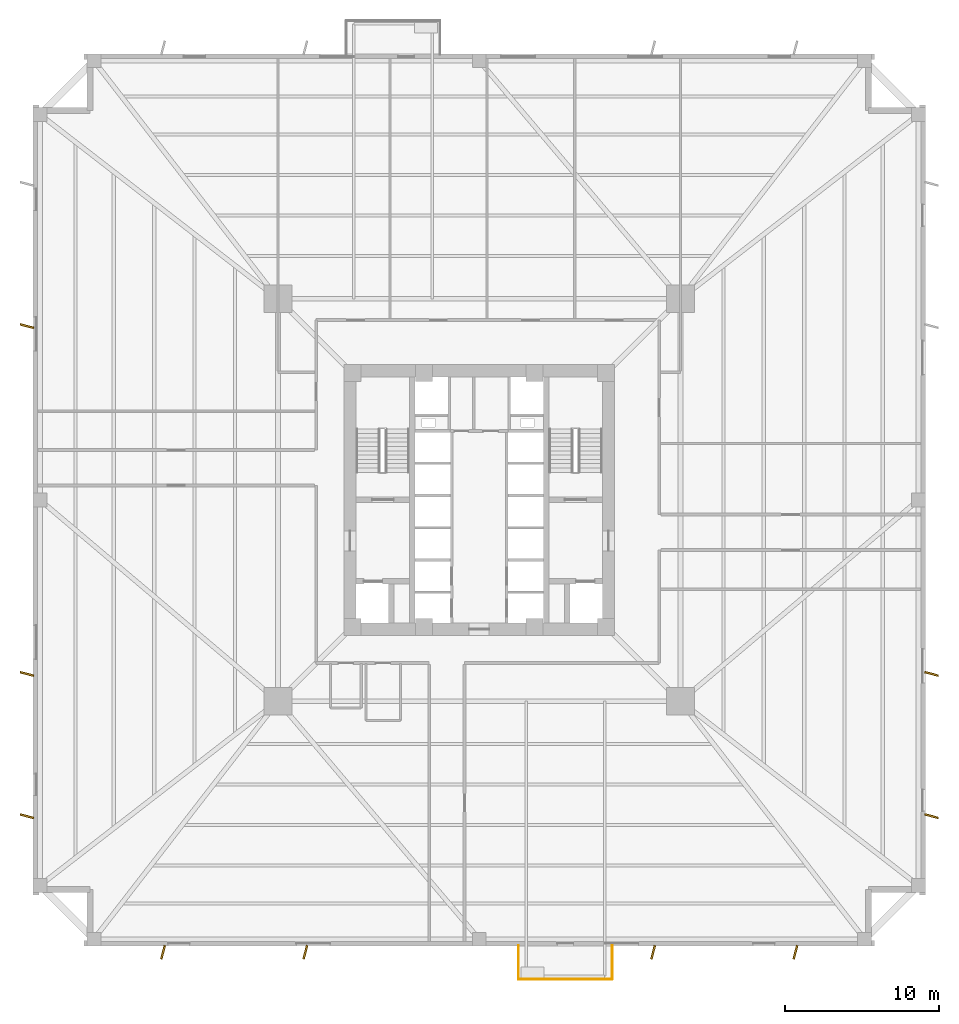
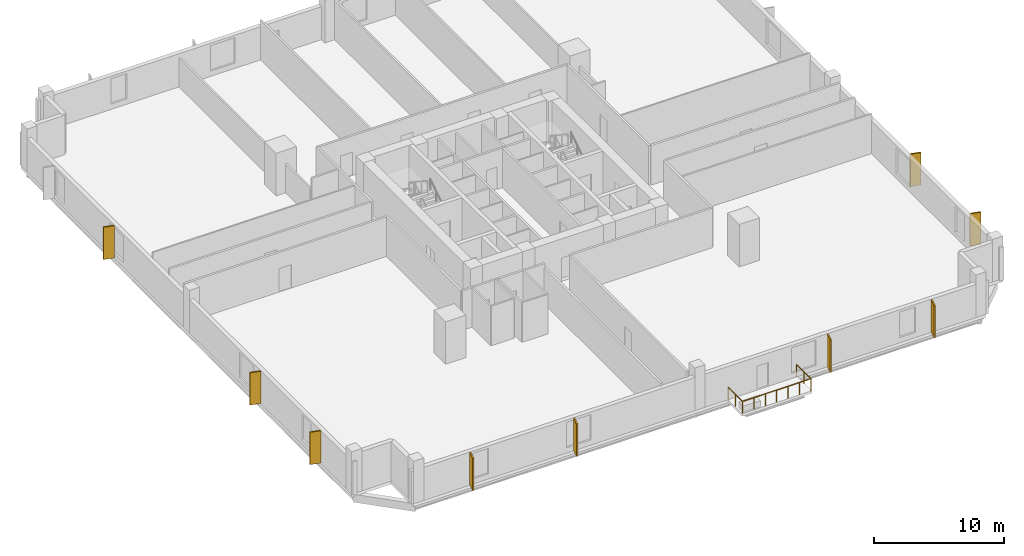
# One storey, part 6 of 8: 9 coverings, 3 railings.
"""IFC4 building model written with IfcOpenShell, lengths in metres."""

from ifc_helpers import new_model, si_unit, direction, frame, origin, origin_2d, place, context, subcontext, project, spatial, rectangle, circle, extrude, source, transform, mapped, material, layer, layer_set, type_object, element, save


model = new_model("IFC4")

# Units and contexts
model_context = context("Model", 3, precision=1e-05, world=origin(), true_north=direction((0.0, 1.0)))
body_context = subcontext(model_context, "Body", "Model", "MODEL_VIEW")
ifc_project = project(units=[si_unit("LENGTHUNIT", "METRE"), si_unit("AREAUNIT", "SQUARE_METRE"), si_unit("VOLUMEUNIT", "CUBIC_METRE"), si_unit("PLANEANGLEUNIT", "RADIAN"), si_unit("MASSUNIT", "GRAM", prefix="KILO"), si_unit("THERMODYNAMICTEMPERATUREUNIT", "KELVIN")], contexts=[model_context])

# Site, building, storey
site_placement = place(None, origin())
site = spatial("IfcSite", under=ifc_project, at=site_placement, CompositionType="ELEMENT")
building_placement = place(site_placement, origin())
building = spatial("IfcBuilding", under=site, at=building_placement, Name="Kosmvard Interchange Tower", CompositionType="ELEMENT")
storey_placement = place(building_placement, frame((0.0, 0.0, 38.0)))
storey = spatial("IfcBuildingStorey", under=building, at=storey_placement, Name="L08", CompositionType="ELEMENT", Elevation=38.0)

# Railings
ifc_material_1 = material(Name="Steel S355", Category="steel")
railing_type = type_object("IfcRailingType", Name="Observation & Balcony Glass-Infill Balustrade 1150", PredefinedType="BALUSTRADE", material=ifc_material_1)
shared_shape_1 = source(origin(), body_context, "Body", "SweptSolid", [
    extrude(circle(Radius=0.02392578125, at=origin_2d()), frame((0.0, 0.0, 1.1259765625), z_axis=(0.0, -1.0, 0.0), x_axis=(1.0, 0.0, 0.0)), (0.0, 0.0, 1.0), 2.199951171875),
    extrude(circle(Radius=0.02099609375, at=origin_2d()), origin(), (0.0, 0.0, 1.0), 1.101806640625),
    extrude(circle(Radius=0.02099609375, at=origin_2d()), frame((0.0, -1.10009765625, 0.0)), (0.0, 0.0, 1.0), 1.101806640625),
    extrude(circle(Radius=0.02099609375, at=origin_2d()), frame((0.0, -2.199951171875, 0.0)), (0.0, 0.0, 1.0), 1.101806640625),
])
railing_1_placement = place(storey_placement, frame((2.550048828125, -28.949951171875, 0.0)))
element("IfcRailing", 1, at=railing_1_placement, inside=storey, type_object=railing_type, Name="L08 Outdoor Terrace Guard BAL-L08-SW-A", PredefinedType="BALUSTRADE", context=body_context, shape_type="MappedRepresentation", body=[
    mapped(shared_shape_1, transform((0.0, 0.0, 0.0), scale=1.0)),
])
shared_shape_2 = source(origin(), body_context, "Body", "SweptSolid", [
    extrude(circle(Radius=0.02392578125, at=origin_2d()), frame((0.0, 0.0, 1.1259765625), z_axis=(1.0, 0.0, 0.0), x_axis=(0.0, 1.0, 0.0)), (0.0, 0.0, 1.0), 6.099853515625),
    extrude(circle(Radius=0.02099609375, at=origin_2d()), origin(), (0.0, 0.0, 1.0), 1.101806640625),
    extrude(circle(Radius=0.02099609375, at=origin_2d()), frame((1.0166015625, 0.0, 0.0)), (0.0, 0.0, 1.0), 1.101806640625),
    extrude(circle(Radius=0.02099609375, at=origin_2d()), frame((2.033203125, 0.0, 0.0)), (0.0, 0.0, 1.0), 1.101806640625),
    extrude(circle(Radius=0.02099609375, at=origin_2d()), frame((3.0498046875, 0.0, 0.0)), (0.0, 0.0, 1.0), 1.101806640625),
    extrude(circle(Radius=0.02099609375, at=origin_2d()), frame((4.066650390625, 0.0, 0.0)), (0.0, 0.0, 1.0), 1.101806640625),
    extrude(circle(Radius=0.02099609375, at=origin_2d()), frame((5.083251953125, 0.0, 0.0)), (0.0, 0.0, 1.0), 1.101806640625),
    extrude(circle(Radius=0.02099609375, at=origin_2d()), frame((6.099853515625, 0.0, 0.0)), (0.0, 0.0, 1.0), 1.101806640625),
])
railing_2_placement = place(storey_placement, frame((2.550048828125, -31.14990234375, 0.0)))
element("IfcRailing", 2, at=railing_2_placement, inside=storey, type_object=railing_type, Name="L08 Outdoor Terrace Guard BAL-L08-SW-B", PredefinedType="BALUSTRADE", context=body_context, shape_type="MappedRepresentation", body=[
    mapped(shared_shape_2, transform((0.0, 0.0, 0.0), scale=1.0)),
])
shared_shape_3 = source(origin(), body_context, "Body", "SweptSolid", [
    extrude(circle(Radius=0.02392578125, at=origin_2d()), frame((0.0, 0.0, 1.1259765625), z_axis=(0.0, 1.0, 0.0), x_axis=(-1.0, 0.0, 0.0)), (0.0, 0.0, 1.0), 2.199951171875),
    extrude(circle(Radius=0.02099609375, at=origin_2d()), origin(), (0.0, 0.0, 1.0), 1.101806640625),
    extrude(circle(Radius=0.02099609375, at=origin_2d()), frame((0.0, 1.10009765625, 0.0)), (0.0, 0.0, 1.0), 1.101806640625),
    extrude(circle(Radius=0.02099609375, at=origin_2d()), frame((0.0, 2.199951171875, 0.0)), (0.0, 0.0, 1.0), 1.101806640625),
])
railing_3_placement = place(storey_placement, frame((8.64990234375, -31.14990234375, 0.0)))
element("IfcRailing", 3, at=railing_3_placement, inside=storey, type_object=railing_type, Name="L08 Outdoor Terrace Guard BAL-L08-SW-C", PredefinedType="BALUSTRADE", context=body_context, shape_type="MappedRepresentation", body=[
    mapped(shared_shape_3, transform((0.0, 0.0, 0.0), scale=1.0)),
])

# Coverings
ifc_material_2 = material(Name="Architectural anodised aluminium", Category="aluminium")
ifc_layer = layer(ifc_material_2, 0.1201171875, Name="Architectural anodised aluminium")
ifc_layer_set = layer_set([ifc_layer], Name="Architectural anodised aluminium")
covering_type = type_object("IfcCoveringType", Name="Rotating Vertical Sun-Breaker Fin 900x120 Aluminium", PredefinedType="CLADDING", material=ifc_layer_set)
shared_shape_4 = source(origin(), body_context, "Body", "SweptSolid", [
    extrude(rectangle(XDim=0.89990234375, YDim=0.1201171875, at=origin_2d()), origin(), (0.0, 0.0, 1.0), 3.0400390625),
])
for number, where, z_axis, x_axis, name in (
    (4, (-20.552001953125, -29.39990234375, 0.0400390625), (0.0, 0.0, 1.0), (-0.252913747716, -0.967488830021, 0.0), "L08 Rotating Vertical Sun-Breaker Fin 01"),
    (5, (-11.3037109375, -29.39990234375, 0.0400390625), (0.0, 0.0, 1.0), (-0.252913747716, -0.967488830021, 0.0), "L08 Rotating Vertical Sun-Breaker Fin 02"),
    (6, (11.3037109375, -29.39990234375, 0.0400390625), (0.0, 0.0, 1.0), (-0.252913747716, -0.967488830021, 0.0), "L08 Rotating Vertical Sun-Breaker Fin 03"),
    (7, (20.552001953125, -29.39990234375, 0.0400390625), (0.0, 0.0, 1.0), (-0.252913747716, -0.967488830021, 0.0), "L08 Rotating Vertical Sun-Breaker Fin 04"),
    (8, (29.39990234375, -20.552001953125, 0.0400390625), (0.0, 0.0, 1.0), (0.967488830021, -0.252913747716, 0.0), "L08 Rotating Vertical Sun-Breaker Fin 05"),
    (9, (29.39990234375, -11.3037109375, 0.0400390625), (0.0, 0.0, 1.0), (0.967488830021, -0.252913747716, 0.0), "L08 Rotating Vertical Sun-Breaker Fin 06"),
    (10, (-29.39990234375, 11.3037109375, 0.0400390625), (0.0, 0.0, 1.0), (-0.967488830021, 0.252913747716, 0.0), "L08 Rotating Vertical Sun-Breaker Fin 14"),
    (11, (-29.39990234375, -11.3037109375, 0.0400390625), (0.0, 0.0, 1.0), (-0.967488830021, 0.252913747716, 0.0), "L08 Rotating Vertical Sun-Breaker Fin 15"),
    (12, (-29.39990234375, -20.552001953125, 0.0400390625), (0.0, 0.0, 1.0), (-0.967488830021, 0.252913747716, 0.0), "L08 Rotating Vertical Sun-Breaker Fin 16"),
):
    element("IfcCovering", number, at=place(storey_placement, frame(where, z_axis=z_axis, x_axis=x_axis)), inside=storey, type_object=covering_type, Name=name, PredefinedType="CLADDING", context=body_context, shape_type="MappedRepresentation", body=[
        mapped(shared_shape_4, transform((0.0, 0.0, 0.0), scale=1.0)),
    ])

save(model, "model.ifc")
